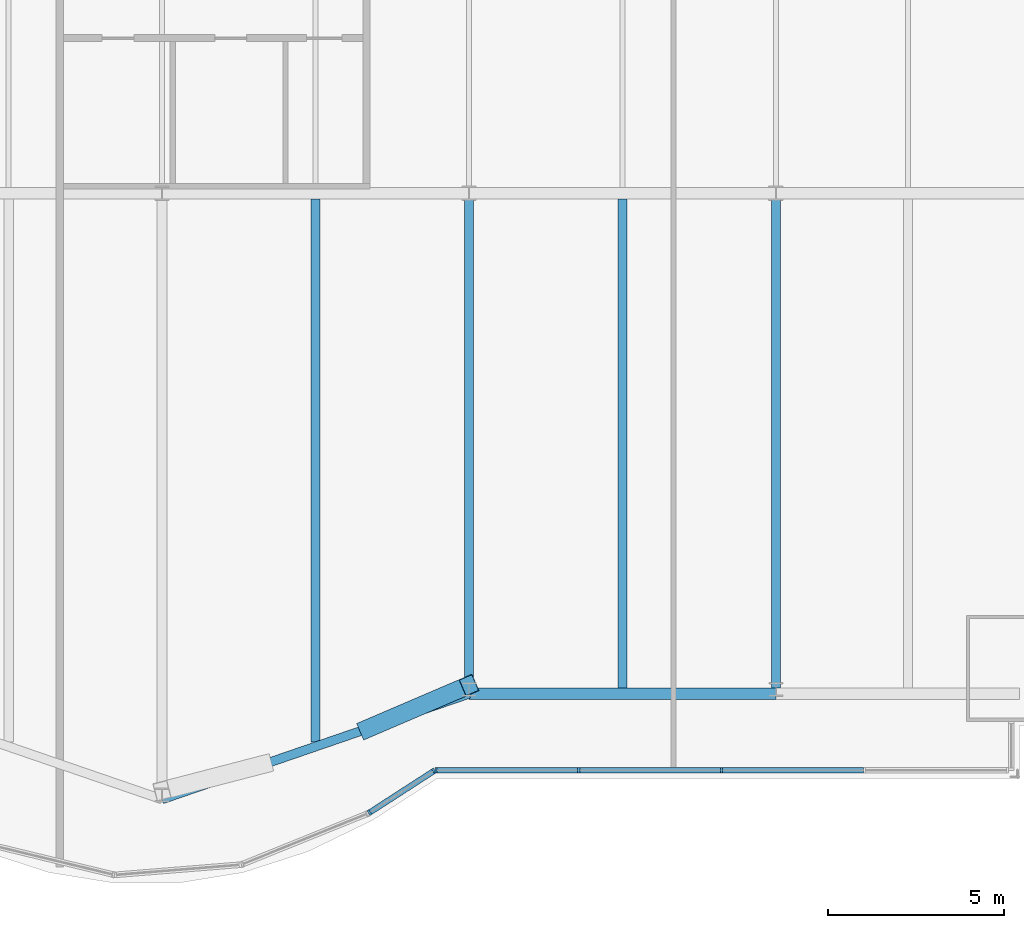
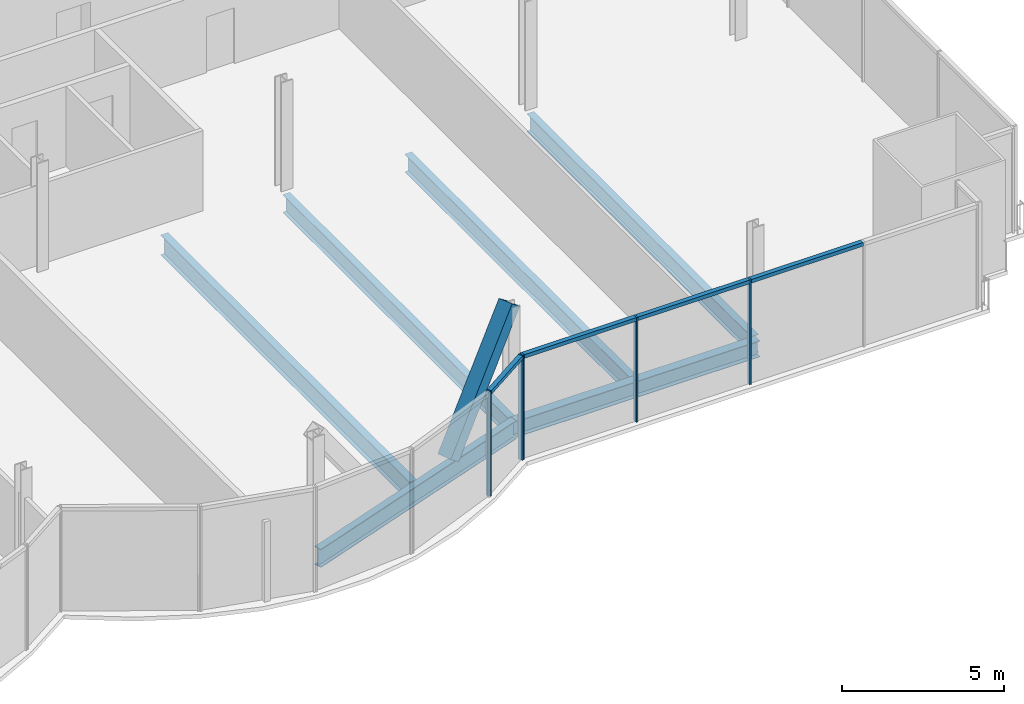
# One storey, part 8 of 21: 10 members, 6 beams, 2 elements without a shape of their own.
"""IFC4 building model written with IfcOpenShell, lengths in metres."""

from ifc_helpers import new_model, si_unit, direction, frame, origin, origin_2d, place, context, subcontext, project, spatial, rectangle, hollow_rectangle, i_section, extrude, material, material_profile, profile_set, type_object, element, aggregate, save


model = new_model("IFC4")

# Units and contexts
model_context = context("Model", 3, precision=1e-05, world=origin(), true_north=direction((0.0, 1.0)))
body_context = subcontext(model_context, "Body", "Model", "MODEL_VIEW")
ifc_project = project(units=[si_unit("LENGTHUNIT", "METRE"), si_unit("AREAUNIT", "SQUARE_METRE"), si_unit("VOLUMEUNIT", "CUBIC_METRE"), si_unit("PLANEANGLEUNIT", "RADIAN"), si_unit("MASSUNIT", "GRAM", prefix="KILO")], contexts=[model_context])

# Site, building, storey
site_placement = place(None, origin())
site = spatial("IfcSite", under=ifc_project, at=site_placement, CompositionType="ELEMENT")
building_placement = place(site_placement, origin())
building = spatial("IfcBuilding", under=site, at=building_placement, Name="Bicima Exchange Tower", CompositionType="ELEMENT")
storey_placement = place(building_placement, frame((0.0, 0.0, 98.10009765625)))
storey = spatial("IfcBuildingStorey", under=building, at=storey_placement, Name="L20", CompositionType="ELEMENT", Elevation=98.10009765625)

# Beams
ifc_material_1 = material(Name="Steel ASTM A992 Gr 50", Category="steel")
ifc_material_profile_1 = material_profile(ifc_material_1, i_section(OverallWidth=0.25390625, OverallDepth=0.67822265625, WebThickness=0.01171875, FlangeThickness=0.016357421875, at=origin_2d()))
ifc_profile_set_1 = profile_set([ifc_material_profile_1], Name="Steel ASTM A992 Gr 50")
beam_type_1 = type_object("IfcBeamType", Name="Floor beam W27x84", PredefinedType="JOIST", material=ifc_profile_set_1)
beam_1_placement = place(storey_placement, frame((17.39990234375, -22.16259765625, -0.4892578125), z_axis=(0.0, -1.0, 0.0), x_axis=(1.0, 0.0, 0.0)))
element("IfcBeam", 1, at=beam_1_placement, inside=storey, type_object=beam_type_1, Name="Floor beam", PredefinedType="JOIST", context=body_context, shape_type="SweptSolid", body=[
    extrude(i_section(OverallWidth=0.25390625, OverallDepth=0.67822265625, WebThickness=0.01171875, FlangeThickness=0.016357421875, at=origin_2d()), origin(), (0.0, 0.0, 1.0), 13.8857421875),
])
for number, where, z_axis, x_axis, name in (
    (2, (21.75, -22.16259765625, -0.4892578125), (0.0, -1.0, 0.0), (1.0, 0.0, 0.0), "Floor beam"),
    (3, (26.10009765625, -22.16259765625, -0.4892578125), (0.0, -1.0, 0.0), (1.0, 0.0, 0.0), "Floor beam"),
):
    element("IfcBeam", number, at=place(storey_placement, frame(where, z_axis=z_axis, x_axis=x_axis)), inside=storey, type_object=beam_type_1, Name=name, PredefinedType="JOIST", context=body_context, shape_type="SweptSolid", body=[
        extrude(i_section(OverallWidth=0.25390625, OverallDepth=0.67822265625, WebThickness=0.01171875, FlangeThickness=0.016357421875, at=origin_2d()), origin(), (0.0, 0.0, 1.0), 13.85888671875),
    ])
ifc_material_profile_2 = material_profile(ifc_material_1, i_section(OverallWidth=0.2666015625, OverallDepth=0.75439453125, WebThickness=0.01318359375, FlangeThickness=0.01708984375, at=origin_2d()))
ifc_profile_set_2 = profile_set([ifc_material_profile_2], Name="Steel ASTM A992 Gr 50")
beam_type_2 = type_object("IfcBeamType", Name="Floor beam W30x99", PredefinedType="JOIST", material=ifc_profile_set_2)
beam_2_placement = place(storey_placement, frame((13.050048828125, -22.16259765625, -0.52734375), z_axis=(0.0, -1.0, 0.0), x_axis=(1.0, 0.0, 0.0)))
element("IfcBeam", 4, at=beam_2_placement, inside=storey, type_object=beam_type_2, Name="Floor beam", PredefinedType="JOIST", context=body_context, shape_type="SweptSolid", body=[
    extrude(i_section(OverallWidth=0.2666015625, OverallDepth=0.75439453125, WebThickness=0.01318359375, FlangeThickness=0.01708984375, at=origin_2d()), origin(), (0.0, 0.0, 1.0), 15.38134765625),
])
ifc_material_profile_3 = material_profile(ifc_material_1, i_section(OverallWidth=0.3251953125, OverallDepth=0.612060546875, WebThickness=0.0126953125, FlangeThickness=0.01904296875, at=origin_2d()))
ifc_profile_set_3 = profile_set([ifc_material_profile_3], Name="Steel ASTM A992 Gr 50")
beam_type_3 = type_object("IfcBeamType", Name="Front girder W24x104", PredefinedType="BEAM", material=ifc_profile_set_3)
beam_3_placement = place(storey_placement, frame((17.39990234375, -36.18408203125, -0.456298828125), z_axis=(1.0, 0.0, 0.0), x_axis=(0.0, 1.0, 0.0)))
element("IfcBeam", 5, at=beam_3_placement, inside=storey, type_object=beam_type_3, Name="Front girder", PredefinedType="BEAM", context=body_context, shape_type="SweptSolid", body=[
    extrude(i_section(OverallWidth=0.3251953125, OverallDepth=0.612060546875, WebThickness=0.0126953125, FlangeThickness=0.01904296875, at=origin_2d()), origin(), (0.0, 0.0, 1.0), 8.7001953125),
])
ifc_material_profile_4 = material_profile(ifc_material_1, i_section(OverallWidth=0.256591796875, OverallDepth=0.693359375, WebThickness=0.014404296875, FlangeThickness=0.023681640625, at=origin_2d()))
ifc_profile_set_4 = profile_set([ifc_material_profile_4], Name="Steel ASTM A992 Gr 50")
beam_type_4 = type_object("IfcBeamType", Name="Front girder W27x114", PredefinedType="BEAM", material=ifc_profile_set_4)
beam_4_placement = place(storey_placement, frame((8.699951171875, -39.175048828125, -0.496826171875), z_axis=(0.945674616091, 0.32511462668, 0.0), x_axis=(-0.32511462668, 0.945674616091, 0.0)))
element("IfcBeam", 6, at=beam_4_placement, inside=storey, type_object=beam_type_4, Name="Front girder", PredefinedType="BEAM", context=body_context, shape_type="SweptSolid", body=[
    extrude(i_section(OverallWidth=0.256591796875, OverallDepth=0.693359375, WebThickness=0.014404296875, FlangeThickness=0.023681640625, at=origin_2d()), origin(), (0.0, 0.0, 1.0), 9.19970703125),
])

# Curtain wall, members
ifc_material_2 = material(Name="Anodised bronze aluminium", Category="aluminium")
curtain_wall_type = type_object("IfcCurtainWallType", Name="Front glass wall", PredefinedType="NOTDEFINED", material=ifc_material_2)
curtain_wall_1_placement = place(storey_placement, origin())
curtain_wall_1 = element("IfcCurtainWall", 7, at=curtain_wall_1_placement, inside=storey, type_object=curtain_wall_type, Name="Front glass wall L20 run 11", PredefinedType="NOTDEFINED")
ifc_material_profile_5 = material_profile(ifc_material_2, rectangle(XDim=0.159912109375, YDim=0.06005859375, at=origin_2d()))
ifc_profile_set_5 = profile_set([ifc_material_profile_5], Name="Anodised bronze aluminium")
member_type_1 = type_object("IfcMemberType", Name="Front glass wall mullion 60 x 160", PredefinedType="MULLION", material=ifc_profile_set_5)
member_1_placement = place(storey_placement, frame((14.578857421875, -39.552001953125, 0.0), z_axis=(0.0, 0.0, 1.0), x_axis=(-0.542909183079, 0.839791413941, 0.0)))
member_1 = element("IfcMember", 8, at=member_1_placement, type_object=member_type_1, Name="Front glass wall mullion 1", PredefinedType="MULLION", context=body_context, shape_type="SweptSolid", body=[
    extrude(rectangle(XDim=0.159912109375, YDim=0.06005859375, at=origin_2d()), origin(), (0.0, 0.0, 1.0), 3.949951171875),
])
member_2_placement = place(storey_placement, frame((16.406982421875, -38.370361328125, 0.0), z_axis=(0.0, 0.0, 1.0), x_axis=(-0.542909183079, 0.839791413941, 0.0)))
member_2 = element("IfcMember", 9, at=member_2_placement, type_object=member_type_1, Name="Front glass wall mullion 2", PredefinedType="MULLION", context=body_context, shape_type="SweptSolid", body=[
    extrude(rectangle(XDim=0.159912109375, YDim=0.06005859375, at=origin_2d()), origin(), (0.0, 0.0, 1.0), 3.949951171875),
])

curtain_wall_2_placement = place(storey_placement, origin())
curtain_wall_2 = element("IfcCurtainWall", 10, at=curtain_wall_2_placement, inside=storey, type_object=curtain_wall_type, Name="Front glass wall L20 run 16", PredefinedType="NOTDEFINED")
member_3_placement = place(storey_placement, frame((16.462158203125, -38.35400390625, 0.0), z_axis=(0.0, 0.0, 1.0), x_axis=(0.0, 1.0, 0.0)))
member_3 = element("IfcMember", 11, at=member_3_placement, type_object=member_type_1, Name="Front glass wall mullion 1", PredefinedType="MULLION", context=body_context, shape_type="SweptSolid", body=[
    extrude(rectangle(XDim=0.159912109375, YDim=0.06005859375, at=origin_2d()), origin(), (0.0, 0.0, 1.0), 3.949951171875),
])
member_4_placement = place(storey_placement, frame((20.51171875, -38.35400390625, 0.0), z_axis=(0.0, 0.0, 1.0), x_axis=(0.0, 1.0, 0.0)))
member_4 = element("IfcMember", 12, at=member_4_placement, type_object=member_type_1, Name="Front glass wall mullion 2", PredefinedType="MULLION", context=body_context, shape_type="SweptSolid", body=[
    extrude(rectangle(XDim=0.159912109375, YDim=0.06005859375, at=origin_2d()), origin(), (0.0, 0.0, 1.0), 3.949951171875),
])
member_5_placement = place(storey_placement, frame((24.56103515625, -38.35400390625, 0.0), z_axis=(0.0, 0.0, 1.0), x_axis=(0.0, 1.0, 0.0)))
member_5 = element("IfcMember", 13, at=member_5_placement, type_object=member_type_1, Name="Front glass wall mullion 3", PredefinedType="MULLION", context=body_context, shape_type="SweptSolid", body=[
    extrude(rectangle(XDim=0.159912109375, YDim=0.06005859375, at=origin_2d()), origin(), (0.0, 0.0, 1.0), 3.949951171875),
])

# Member
ifc_material_profile_6 = material_profile(ifc_material_2, rectangle(XDim=0.159912109375, YDim=0.139892578125, at=origin_2d()))
ifc_profile_set_6 = profile_set([ifc_material_profile_6], Name="Anodised bronze aluminium")
member_type_2 = type_object("IfcMemberType", Name="Front glass wall transom 140 x 160", PredefinedType="USERDEFINED", material=ifc_profile_set_6)
member_6_placement = place(storey_placement, frame((14.60400390625, -39.535888671875, 3.8798828125), z_axis=(0.839792890287, 0.542906899407, 0.0), x_axis=(-0.542906899407, 0.839792890287, 0.0)))
member_6 = element("IfcMember", 14, at=member_6_placement, type_object=member_type_2, Name="Front glass wall transom 1.1", ObjectType="TRANSOM", PredefinedType="USERDEFINED", context=body_context, shape_type="SweptSolid", body=[
    extrude(rectangle(XDim=0.159912109375, YDim=0.139892578125, at=origin_2d()), origin(), (0.0, 0.0, 1.0), 2.11669921875),
])

aggregate(curtain_wall_1, [member_1, member_2, member_6])

member_7_placement = place(storey_placement, frame((16.4921875, -38.35400390625, 3.8798828125), z_axis=(1.0, 0.0, 0.0), x_axis=(0.0, 1.0, 0.0)))
member_7 = element("IfcMember", 15, at=member_7_placement, type_object=member_type_2, Name="Front glass wall transom 1.1", ObjectType="TRANSOM", PredefinedType="USERDEFINED", context=body_context, shape_type="SweptSolid", body=[
    extrude(rectangle(XDim=0.159912109375, YDim=0.139892578125, at=origin_2d()), origin(), (0.0, 0.0, 1.0), 3.989501953125),
])

member_8_placement = place(storey_placement, frame((20.54150390625, -38.35400390625, 3.8798828125), z_axis=(1.0, 0.0, 0.0), x_axis=(0.0, 1.0, 0.0)))
member_8 = element("IfcMember", 16, at=member_8_placement, type_object=member_type_2, Name="Front glass wall transom 2.1", ObjectType="TRANSOM", PredefinedType="USERDEFINED", context=body_context, shape_type="SweptSolid", body=[
    extrude(rectangle(XDim=0.159912109375, YDim=0.139892578125, at=origin_2d()), origin(), (0.0, 0.0, 1.0), 3.989501953125),
])

member_9_placement = place(storey_placement, frame((24.591064453125, -38.35400390625, 3.8798828125), z_axis=(1.0, 0.0, 0.0), x_axis=(0.0, 1.0, 0.0)))
member_9 = element("IfcMember", 17, at=member_9_placement, type_object=member_type_2, Name="Front glass wall transom 3.1", ObjectType="TRANSOM", PredefinedType="USERDEFINED", context=body_context, shape_type="SweptSolid", body=[
    extrude(rectangle(XDim=0.159912109375, YDim=0.139892578125, at=origin_2d()), origin(), (0.0, 0.0, 1.0), 3.989501953125),
])

aggregate(curtain_wall_2, [member_3, member_4, member_5, member_7, member_8, member_9])

ifc_material_3 = material(Name="Steel ASTM A572 Gr 50", Category="steel")
ifc_material_profile_7 = material_profile(ifc_material_3, hollow_rectangle(XDim=0.508056640625, YDim=0.508056640625, WallThickness=0.0146484375, at=origin_2d()))
ifc_profile_set_7 = profile_set([ifc_material_profile_7], Name="Steel ASTM A572 Gr 50")
member_type_3 = type_object("IfcMemberType", Name="Mega brace HSS20x20x5/8", PredefinedType="BRACE", material=ifc_profile_set_7)
member_10_placement = place(storey_placement, frame((14.5, -37.180908203125, 0.0), z_axis=(0.560602039363, 0.239900670659, 0.79257366956), x_axis=(-0.393424148395, 0.919357079409, 0.0)))
element("IfcMember", 18, at=member_10_placement, inside=storey, type_object=member_type_3, Name="Mega brace front", PredefinedType="BRACE", context=body_context, shape_type="SweptSolid", body=[
    extrude(hollow_rectangle(XDim=0.508056640625, YDim=0.508056640625, WallThickness=0.0146484375, at=origin_2d()), origin(), (0.0, 0.0, 1.0), 5.1728515625),
])

save(model, "model.ifc")
